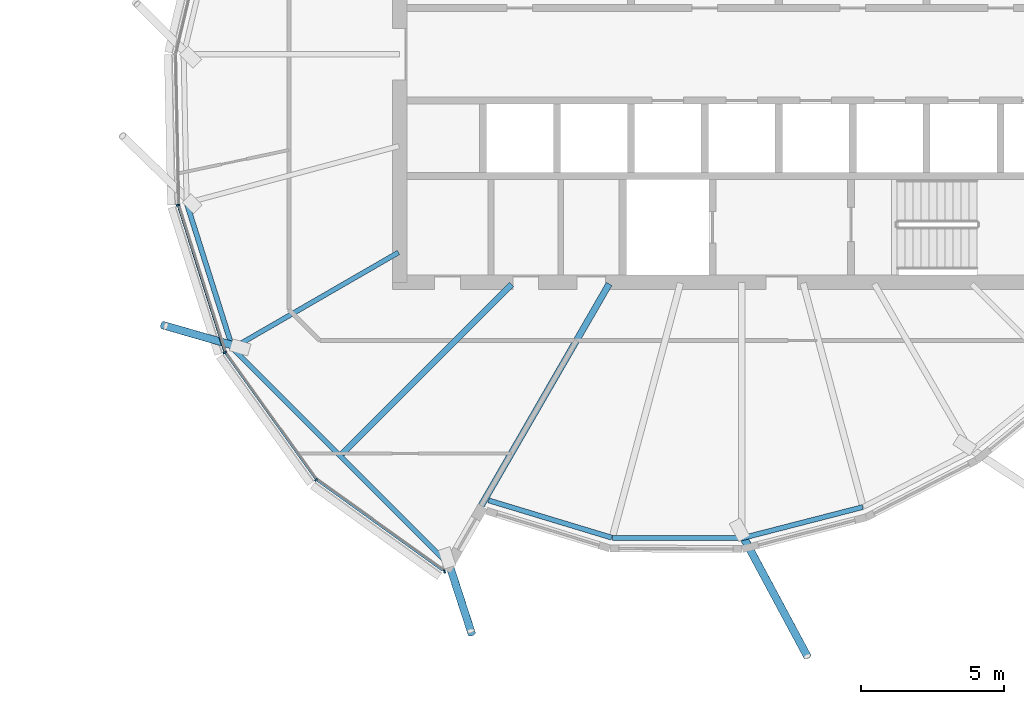
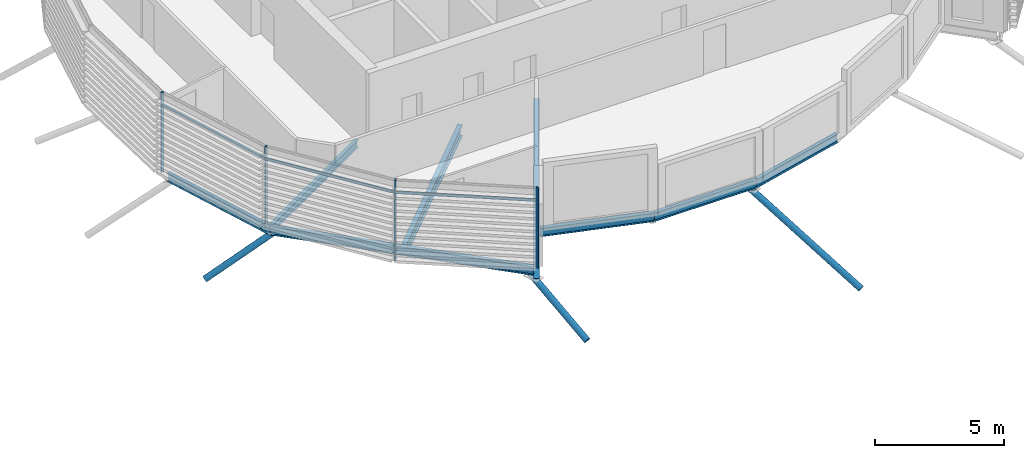
# One storey, part 9 of 38: 10 members, 8 beams, 1 element without a shape of its own.
"""IFC4 building model written with IfcOpenShell, lengths in metres."""

from ifc_helpers import new_model, si_unit, direction, frame, origin, origin_2d, place, context, subcontext, project, spatial, rectangle, hollow_circle, i_section, extrude, clip, halfspace, material, material_profile, profile_set, type_object, element, aggregate, save


model = new_model("IFC4")

# Units and contexts
model_context = context("Model", 3, precision=1e-05, world=origin(), true_north=direction((0.0, 1.0)))
body_context = subcontext(model_context, "Body", "Model", "MODEL_VIEW")
ifc_project = project(units=[si_unit("LENGTHUNIT", "METRE"), si_unit("AREAUNIT", "SQUARE_METRE"), si_unit("VOLUMEUNIT", "CUBIC_METRE"), si_unit("PLANEANGLEUNIT", "RADIAN"), si_unit("MASSUNIT", "GRAM", prefix="KILO")], contexts=[model_context])

# Site, building, storey
site_placement = place(None, origin())
site = spatial("IfcSite", under=ifc_project, at=site_placement, CompositionType="ELEMENT")
building_placement = place(site_placement, origin())
building = spatial("IfcBuilding", under=site, at=building_placement, Name="Rimbun Link Towers", CompositionType="ELEMENT")
storey_placement = place(building_placement, frame((0.0, 0.0, 218.10009765625)))
storey = spatial("IfcBuildingStorey", under=building, at=storey_placement, Name="L53", CompositionType="ELEMENT", Elevation=218.10009765625)

# Curtain wall, members
ifc_material_1 = material(Name="Aluminium 6063-T6 and low-iron glass", Category="aluminium")
curtain_wall_type = type_object("IfcCurtainWallType", Name="CW1-Z4 unitised vision wall (zone 4)", PredefinedType="NOTDEFINED", material=ifc_material_1)
curtain_wall_placement = place(storey_placement, origin())
curtain_wall = element("IfcCurtainWall", 1, at=curtain_wall_placement, inside=storey, type_object=curtain_wall_type, Name="CW1 L53 T2", PredefinedType="NOTDEFINED")
ifc_material_2 = material(Name="Aluminium 6063-T6", Category="aluminium")
ifc_material_profile_1 = material_profile(ifc_material_2, rectangle(XDim=0.1201171875, YDim=0.06005859375, at=origin_2d()), Name="MULLION 60X120")
ifc_profile_set_1 = profile_set([ifc_material_profile_1], Name="Aluminium 6063-T6")
member_type_1 = type_object("IfcMemberType", Name="CW1 mullion 60X120", PredefinedType="MULLION", material=ifc_profile_set_1)
member_1_placement = place(storey_placement, frame((11.9658203125, -5.295166015625, 0.0), z_axis=(0.0, 0.0, 1.0), x_axis=(-0.986503176401, -0.163742123322, 0.0)))
member_1 = element("IfcMember", 2, at=member_1_placement, type_object=member_type_1, Name="CW1 mullion", PredefinedType="MULLION", context=body_context, shape_type="SweptSolid", body=[
    extrude(rectangle(XDim=0.1201171875, YDim=0.06005859375, at=origin_2d()), origin(), (0.0, 0.0, 1.0), 3.7998046875),
])
member_2_placement = place(storey_placement, frame((13.611083984375, -10.468505859375, 0.0), z_axis=(0.0, 0.0, 1.0), x_axis=(-0.893747370615, -0.448570660563, 0.0)))
member_2 = element("IfcMember", 3, at=member_2_placement, type_object=member_type_1, Name="CW1 mullion", PredefinedType="MULLION", context=body_context, shape_type="SweptSolid", body=[
    extrude(rectangle(XDim=0.1201171875, YDim=0.06005859375, at=origin_2d()), origin(), (0.0, 0.0, 1.0), 3.7998046875),
])
member_3_placement = place(storey_placement, frame((16.815673828125, -14.934326171875, 0.0), z_axis=(0.0, 0.0, 1.0), x_axis=(-0.707106781187, -0.707106781187, 0.0)))
member_3 = element("IfcMember", 4, at=member_3_placement, type_object=member_type_1, Name="CW1 mullion", PredefinedType="MULLION", context=body_context, shape_type="SweptSolid", body=[
    extrude(rectangle(XDim=0.1201171875, YDim=0.06005859375, at=origin_2d()), origin(), (0.0, 0.0, 1.0), 3.7998046875),
])
member_4_placement = place(storey_placement, frame((21.321044921875, -18.143798828125, 0.0), z_axis=(0.0, 0.0, 1.0), x_axis=(0.210798508443, -0.977529533486, 0.0)))
member_4 = element("IfcMember", 5, at=member_4_placement, type_object=member_type_1, Name="CW1 mullion", PredefinedType="MULLION", context=body_context, shape_type="SweptSolid", body=[
    extrude(rectangle(XDim=0.1201171875, YDim=0.06005859375, at=origin_2d()), origin(), (0.0, 0.0, 1.0), 3.7998046875),
])
ifc_material_3 = material(Name="Aluminium 6063-T6", Category="aluminium")
ifc_material_profile_2 = material_profile(ifc_material_3, rectangle(XDim=0.06005859375, YDim=0.1201171875, at=origin_2d()), Name="TRANSOM 60X120")
ifc_profile_set_2 = profile_set([ifc_material_profile_2], Name="Aluminium 6063-T6")
member_type_2 = type_object("IfcMemberType", Name="CW1 transom 60X120", PredefinedType="USERDEFINED", material=ifc_profile_set_2)
member_5_placement = place(storey_placement, frame((13.600341796875, -10.430419921875, 3.199951171875), z_axis=(-0.30306993385, 0.952968318044, 0.0), x_axis=(-0.952968318044, -0.30306993385, 0.0)))
member_5 = element("IfcMember", 6, at=member_5_placement, type_object=member_type_2, Name="CW1 transom", ObjectType="TRANSOM", PredefinedType="USERDEFINED", context=body_context, shape_type="SweptSolid", body=[
    extrude(rectangle(XDim=0.06005859375, YDim=0.1201171875, at=origin_2d()), origin(), (0.0, 0.0, 1.0), 5.3505859375),
])
member_6_placement = place(storey_placement, frame((16.793701171875, -14.901123046875, 3.199951171875), z_axis=(-0.583023003154, 0.812455646662, 0.0), x_axis=(-0.812455646662, -0.583023003154, 0.0)))
member_6 = element("IfcMember", 7, at=member_6_placement, type_object=member_type_2, Name="CW1 transom", ObjectType="TRANSOM", PredefinedType="USERDEFINED", context=body_context, shape_type="SweptSolid", body=[
    extrude(rectangle(XDim=0.06005859375, YDim=0.1201171875, at=origin_2d()), origin(), (0.0, 0.0, 1.0), 5.41748046875),
])
member_7_placement = place(storey_placement, frame((21.250244140625, -18.11474609375, 3.199951171875), z_axis=(-0.812455646662, 0.583023003154, 0.0), x_axis=(-0.583023003154, -0.812455646662, 0.0)))
member_7 = element("IfcMember", 8, at=member_7_placement, type_object=member_type_2, Name="CW1 transom", ObjectType="TRANSOM", PredefinedType="USERDEFINED", context=body_context, shape_type="SweptSolid", body=[
    extrude(rectangle(XDim=0.06005859375, YDim=0.1201171875, at=origin_2d()), origin(), (0.0, 0.0, 1.0), 5.41748046875),
])
aggregate(curtain_wall, [member_1, member_2, member_3, member_4, member_5, member_6, member_7])

# Members
ifc_material_4 = material(Name="Steel S355J2H", Category="steel")
ifc_material_profile_3 = material_profile(ifc_material_4, hollow_circle(Radius=0.136474609375, WallThickness=0.012451171875, at=origin_2d()), Name="CHS 273x12.5")
ifc_profile_set_3 = profile_set([ifc_material_profile_3], Name="Steel S355J2H")
member_type_3 = type_object("IfcMemberType", Name="Floor edge link CHS 273x12.5", PredefinedType="BRACE", material=ifc_profile_set_3)
member_8_placement = place(storey_placement, frame((14.009521484375, -10.242431640625, -0.610107421875), z_axis=(-0.809767204211, 0.233164936687, -0.538434013862), x_axis=(-0.276698564854, -0.960956765004, 0.0)))
element("IfcMember", 9, at=member_8_placement, inside=storey, type_object=member_type_3, Name="Floor edge link T2 L53 11", PredefinedType="BRACE", context=body_context, shape_type="Clipping", body=[
    clip(extrude(hollow_circle(Radius=0.136474609375, WallThickness=0.012451171875, at=origin_2d()), frame((0.0, 0.0, -0.44580078125)), (0.0, 0.0, 1.0), 3.618408203125), halfspace(frame((0.0, 0.0, -0.2099609375), z_axis=(0.0, 0.842667676321, -0.538434013862)), False)),
])
member_9_placement = place(storey_placement, frame((21.46142578125, -17.8203125, -0.859619140625), z_axis=(0.264420000754, -0.814099816525, -0.517033414719), x_axis=(0.95108983746, 0.308914423555, 0.0)))
element("IfcMember", 10, at=member_9_placement, inside=storey, type_object=member_type_3, Name="Floor edge link T2 L53 13", PredefinedType="BRACE", context=body_context, shape_type="Clipping", body=[
    clip(extrude(hollow_circle(Radius=0.136474609375, WallThickness=0.012451171875, at=origin_2d()), frame((0.0, 0.0, -0.47119140625)), (0.0, 0.0, 1.0), 3.55224609375), halfspace(frame((0.0, 0.0, -0.22216796875), z_axis=(0.0, 0.855965214284, -0.517033414719)), False)),
])
member_10_placement = place(storey_placement, frame((31.75, -16.837646484375, -0.862060546875), z_axis=(0.410804211116, -0.765476928497, -0.495262528431), x_axis=(0.881131255249, 0.472871770169, 0.0)))
element("IfcMember", 11, at=member_10_placement, inside=storey, type_object=member_type_3, Name="Floor edge link T2 L53 15", PredefinedType="BRACE", context=body_context, shape_type="Clipping", body=[
    clip(extrude(hollow_circle(Radius=0.136474609375, WallThickness=0.012451171875, at=origin_2d()), frame((0.0, 0.0, -0.4990234375)), (0.0, 0.0, 1.0), 6.10986328125), halfspace(frame((0.0, 0.0, -0.237060546875), z_axis=(0.0, 0.868743361374, -0.495262528431)), False)),
])

# Beams
ifc_material_5 = material(Name="Steel S355J2", Category="steel")
ifc_material_profile_4 = material_profile(ifc_material_5, i_section(OverallWidth=0.17138671875, OverallDepth=0.35498046875, WebThickness=0.00732421875, FlangeThickness=0.011474609375, at=origin_2d()), Name="UB 356x171x51")
ifc_profile_set_4 = profile_set([ifc_material_profile_4], Name="Steel S355J2")
beam_type_1 = type_object("IfcBeamType", Name="UB 356x171x51", PredefinedType="BEAM", material=ifc_profile_set_4)
beam_1_placement = place(storey_placement, frame((19.706298828125, -6.95361328125, -0.317626953125), z_axis=(-0.866026714536, -0.499997729706, 0.0), x_axis=(0.499997729706, -0.866026714536, 0.0)))
element("IfcBeam", 12, at=beam_1_placement, inside=storey, type_object=beam_type_1, Name="Radial beam T2 L53 11", PredefinedType="BEAM", context=body_context, shape_type="SweptSolid", body=[
    extrude(i_section(OverallWidth=0.17138671875, OverallDepth=0.35498046875, WebThickness=0.00732421875, FlangeThickness=0.011474609375, at=origin_2d()), origin(), (0.0, 0.0, 1.0), 6.6279296875),
])
ifc_material_6 = material(Name="Steel S355J2", Category="steel")
ifc_material_profile_5 = material_profile(ifc_material_6, i_section(OverallWidth=0.177978515625, OverallDepth=0.406494140625, WebThickness=0.0078125, FlangeThickness=0.0126953125, at=origin_2d()), Name="UB 406x178x60")
ifc_profile_set_5 = profile_set([ifc_material_profile_5], Name="Steel S355J2")
beam_type_2 = type_object("IfcBeamType", Name="UB 406x178x60", PredefinedType="BEAM", material=ifc_profile_set_5)
beam_2_placement = place(storey_placement, frame((12.27783203125, -5.23193359375, -0.34326171875), z_axis=(0.301773727625, -0.953379576724, 0.0), x_axis=(0.953379576724, 0.301773727625, 0.0)))
element("IfcBeam", 13, at=beam_2_placement, inside=storey, type_object=beam_type_2, Name="Edge beam T2 L53 10", PredefinedType="BEAM", context=body_context, shape_type="SweptSolid", body=[
    extrude(i_section(OverallWidth=0.177978515625, OverallDepth=0.406494140625, WebThickness=0.0078125, FlangeThickness=0.0126953125, at=origin_2d()), origin(), (0.0, 0.0, 1.0), 5.3291015625),
])
beam_3_placement = place(storey_placement, frame((13.88720703125, -10.314208984375, -0.34326171875), z_axis=(0.707106781187, -0.707106781187, 0.0), x_axis=(0.707106781187, 0.707106781187, 0.0)))
element("IfcBeam", 14, at=beam_3_placement, inside=storey, type_object=beam_type_2, Name="Edge beam T2 L53 11-13", PredefinedType="BEAM", context=body_context, shape_type="SweptSolid", body=[
    extrude(i_section(OverallWidth=0.177978515625, OverallDepth=0.406494140625, WebThickness=0.0078125, FlangeThickness=0.0126953125, at=origin_2d()), origin(), (0.0, 0.0, 1.0), 10.5576171875),
])
beam_4_placement = place(storey_placement, frame((22.869384765625, -15.6513671875, -0.34326171875), z_axis=(0.957088042709, -0.289797305893, 0.0), x_axis=(0.289797305893, 0.957088042709, 0.0)))
element("IfcBeam", 15, at=beam_4_placement, inside=storey, type_object=beam_type_2, Name="Edge beam T2 L53 13 recess", PredefinedType="BEAM", context=body_context, shape_type="SweptSolid", body=[
    extrude(i_section(OverallWidth=0.177978515625, OverallDepth=0.406494140625, WebThickness=0.0078125, FlangeThickness=0.0126953125, at=origin_2d()), origin(), (0.0, 0.0, 1.0), 4.515625),
])
beam_5_placement = place(storey_placement, frame((27.218505859375, -16.964111328125, -0.34326171875), z_axis=(0.999995090809, -0.003133426, 0.0), x_axis=(0.003133426, 0.999995090809, 0.0)))
element("IfcBeam", 16, at=beam_5_placement, inside=storey, type_object=beam_type_2, Name="Edge beam T2 L53 14 recess", PredefinedType="BEAM", context=body_context, shape_type="SweptSolid", body=[
    extrude(i_section(OverallWidth=0.177978515625, OverallDepth=0.406494140625, WebThickness=0.0078125, FlangeThickness=0.0126953125, at=origin_2d()), origin(), (0.0, 0.0, 1.0), 4.51904296875),
])
beam_6_placement = place(storey_placement, frame((31.761962890625, -16.97509765625, -0.34326171875), z_axis=(0.96846059214, 0.249166774412, 0.0), x_axis=(-0.249166774412, 0.96846059214, 0.0)))
element("IfcBeam", 17, at=beam_6_placement, inside=storey, type_object=beam_type_2, Name="Edge beam T2 L53 15 recess", PredefinedType="BEAM", context=body_context, shape_type="SweptSolid", body=[
    extrude(i_section(OverallWidth=0.177978515625, OverallDepth=0.406494140625, WebThickness=0.0078125, FlangeThickness=0.0126953125, at=origin_2d()), origin(), (0.0, 0.0, 1.0), 4.37109375),
])
ifc_material_7 = material(Name="Steel S355J2", Category="steel")
ifc_material_profile_6 = material_profile(ifc_material_7, i_section(OverallWidth=0.209228515625, OverallDepth=0.533203125, WebThickness=0.010009765625, FlangeThickness=0.015625, at=origin_2d()), Name="UB 533x210x92")
ifc_profile_set_6 = profile_set([ifc_material_profile_6], Name="Steel S355J2")
beam_type_3 = type_object("IfcBeamType", Name="UB 533x210x92", PredefinedType="BEAM", material=ifc_profile_set_6)
beam_7_placement = place(storey_placement, frame((23.67529296875, -8.07470703125, -0.406494140625), z_axis=(-0.707106781187, -0.707106781187, 0.0), x_axis=(0.707106781187, -0.707106781187, 0.0)))
element("IfcBeam", 18, at=beam_7_placement, inside=storey, type_object=beam_type_3, Name="Radial beam T2 L53 12", PredefinedType="BEAM", context=body_context, shape_type="SweptSolid", body=[
    extrude(i_section(OverallWidth=0.209228515625, OverallDepth=0.533203125, WebThickness=0.010009765625, FlangeThickness=0.015625, at=origin_2d()), origin(), (0.0, 0.0, 1.0), 8.414794921875),
])
ifc_material_8 = material(Name="Steel S355J2", Category="steel")
ifc_material_profile_7 = material_profile(ifc_material_8, i_section(OverallWidth=0.2275390625, OverallDepth=0.6025390625, WebThickness=0.010498046875, FlangeThickness=0.014892578125, at=origin_2d()), Name="UB 610x229x101")
ifc_profile_set_7 = profile_set([ifc_material_profile_7], Name="Steel S355J2")
beam_type_4 = type_object("IfcBeamType", Name="UB 610x229x101", PredefinedType="BEAM", material=ifc_profile_set_7)
beam_8_placement = place(storey_placement, frame((27.097900390625, -8.057861328125, -0.44140625), z_axis=(-0.50000491274, -0.866022567394, 0.0), x_axis=(0.866022567394, -0.50000491274, 0.0)))
element("IfcBeam", 19, at=beam_8_placement, inside=storey, type_object=beam_type_4, Name="Radial beam T2 L53 13", PredefinedType="BEAM", context=body_context, shape_type="SweptSolid", body=[
    extrude(i_section(OverallWidth=0.2275390625, OverallDepth=0.6025390625, WebThickness=0.010498046875, FlangeThickness=0.014892578125, at=origin_2d()), origin(), (0.0, 0.0, 1.0), 11.32275390625),
])

save(model, "model.ifc")
